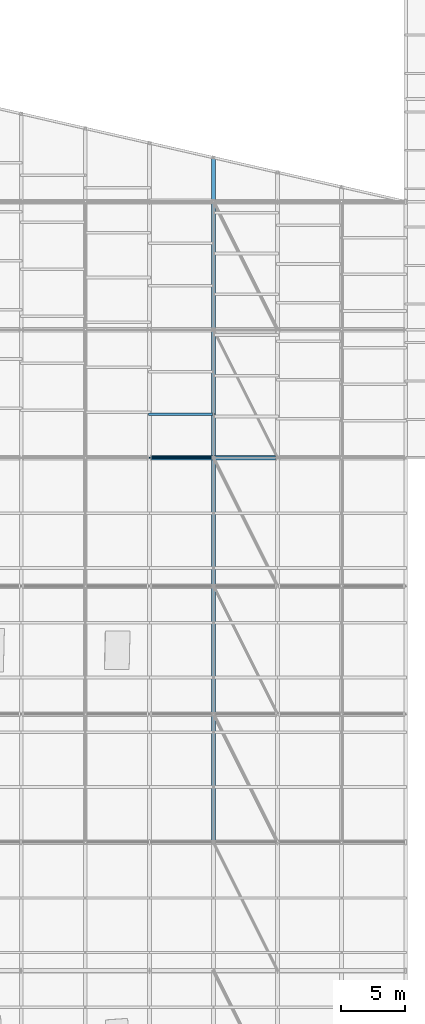
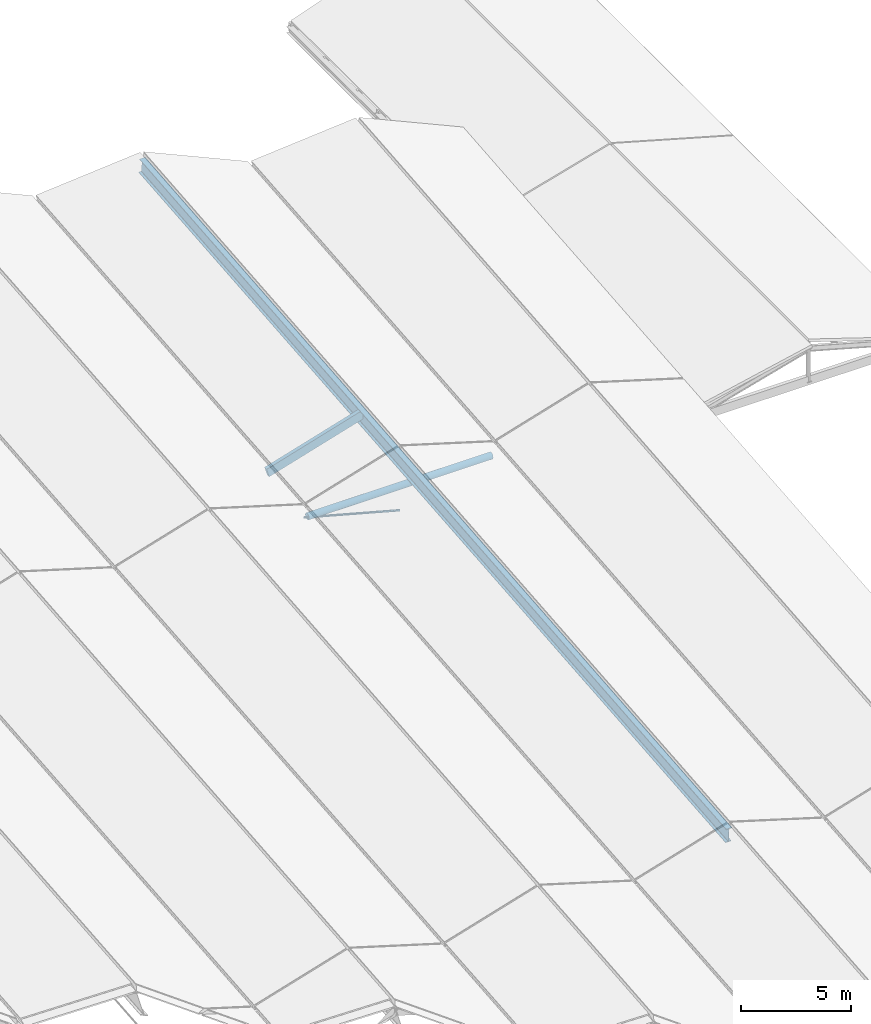
# One storey, part 41 of 90: 2 beams, 2 members.
"""IFC4 building model written with IfcOpenShell, lengths in metres."""

from ifc_helpers import new_model, si_unit, direction, frame, origin, origin_2d, place, context, subcontext, project, spatial, rectangle, circle, hollow_circle, i_section, extrude, material, material_profile, profile_set, type_object, element, save


model = new_model("IFC4")

# Units and contexts
model_context = context("Model", 3, precision=1e-05, world=origin(), true_north=direction((0.0, 1.0)))
body_context = subcontext(model_context, "Body", "Model", "MODEL_VIEW")
ifc_project = project(units=[si_unit("LENGTHUNIT", "METRE"), si_unit("AREAUNIT", "SQUARE_METRE"), si_unit("VOLUMEUNIT", "CUBIC_METRE"), si_unit("PLANEANGLEUNIT", "RADIAN"), si_unit("MASSUNIT", "GRAM", prefix="KILO"), si_unit("THERMODYNAMICTEMPERATUREUNIT", "KELVIN"), si_unit("POWERUNIT", "WATT")], contexts=[model_context])

# Site, building, storey
site_placement = place(None, origin())
site = spatial("IfcSite", under=ifc_project, at=site_placement, CompositionType="ELEMENT")
building_placement = place(site_placement, origin())
building = spatial("IfcBuilding", under=site, at=building_placement, Name="Korenveer Ferry Terminal", CompositionType="ELEMENT")
storey_placement = place(building_placement, frame((0.0, 0.0, 22.199951171875)))
storey = spatial("IfcBuildingStorey", under=building, at=storey_placement, Name="RF", CompositionType="ELEMENT", Elevation=22.199951171875)

# Beam
ifc_material_1 = material(Name="Steel S355", Category="steel")
ifc_material_profile_1 = material_profile(ifc_material_1, i_section(OverallWidth=0.300048828125, OverallDepth=0.800048828125, WebThickness=0.017578125, FlangeThickness=0.032958984375, FilletRadius=0.030029296875, at=origin_2d()), Name="HEB 800")
ifc_profile_set_1 = profile_set([ifc_material_profile_1], Name="Steel S355")
beam_type_1 = type_object("IfcBeamType", Name="STR-BM-HEB800", PredefinedType="BEAM", material=ifc_profile_set_1)
beam_1_placement = place(storey_placement, frame((108.0, 50.0, -7.16796875), z_axis=(0.0, 0.995902973619, 0.090428243027), x_axis=(-1.0, 0.0, 0.0)))
element("IfcBeam", 1, at=beam_1_placement, inside=storey, type_object=beam_type_1, Name="Folded roof ridge girder 12", PredefinedType="BEAM", context=body_context, shape_type="SweptSolid", body=[
    extrude(i_section(OverallWidth=0.300048828125, OverallDepth=0.800048828125, WebThickness=0.017578125, FlangeThickness=0.032958984375, FilletRadius=0.030029296875, at=origin_2d()), origin(), (0.0, 0.0, 1.0), 53.648193359375),
])

# Members
ifc_material_2 = material(Name="High-strength steel S460", Category="steel")
ifc_material_profile_2 = material_profile(ifc_material_2, circle(Radius=0.044921875, at=origin_2d()), Name="ROD D90")
ifc_profile_set_2 = profile_set([ifc_material_profile_2], Name="High-strength steel S460")
member_type_1 = type_object("IfcMemberType", Name="STR-CBL-D90", PredefinedType="USERDEFINED", material=ifc_profile_set_2)
member_1_placement = place(storey_placement, frame((103.0, 80.0, -5.95361328125), z_axis=(0.965424337217, 0.0, -0.260683426993), x_axis=(0.0, 1.0, 0.0)))
element("IfcMember", 2, at=member_1_placement, inside=storey, type_object=member_type_1, Name="Roof tension tie cable 67", ObjectType="CABLE", PredefinedType="USERDEFINED", context=body_context, shape_type="SweptSolid", body=[
    extrude(circle(Radius=0.044921875, at=origin_2d()), origin(), (0.0, 0.0, 1.0), 5.178955078125),
])
ifc_material_3 = material(Name="Glulam GL28h", Category="wood")
ifc_material_profile_3 = material_profile(ifc_material_3, rectangle(XDim=0.199951171875, YDim=0.47998046875, at=origin_2d()), Name="GL 200x480")
ifc_profile_set_3 = profile_set([ifc_material_profile_3], Name="Glulam GL28h")
member_type_2 = type_object("IfcMemberType", Name="STR-PUR-GL200", PredefinedType="PURLIN", material=ifc_profile_set_3)
member_2_placement = place(storey_placement, frame((103.0, 83.392333984375, -5.4873046875), z_axis=(0.957310140112, 0.0, 0.289062788401), x_axis=(0.0, 1.0, 0.0)))
element("IfcMember", 3, at=member_2_placement, inside=storey, type_object=member_type_2, Name="Folded roof glulam purlin 205", PredefinedType="PURLIN", context=body_context, shape_type="SweptSolid", body=[
    extrude(rectangle(XDim=0.199951171875, YDim=0.47998046875, at=origin_2d()), origin(), (0.0, 0.0, 1.0), 5.222900390625),
])

# Beam
ifc_material_profile_4 = material_profile(ifc_material_1, hollow_circle(Radius=0.177734375, WallThickness=0.01611328125, at=origin_2d()), Name="CHS 355.6x16")
ifc_profile_set_4 = profile_set([ifc_material_profile_4], Name="Steel S355")
beam_type_2 = type_object("IfcBeamType", Name="STR-RFG-CHS355", PredefinedType="USERDEFINED", material=ifc_profile_set_4)
beam_2_placement = place(storey_placement, frame((103.159912109375, 80.0, -5.95361328125), z_axis=(1.0, 0.0, 0.0), x_axis=(0.0, 1.0, 0.0)))
element("IfcBeam", 4, at=beam_2_placement, inside=storey, type_object=beam_type_2, Name="Roof transverse tie girder 122", ObjectType="ROOF GIRDER", PredefinedType="USERDEFINED", context=body_context, shape_type="SweptSolid", body=[
    extrude(hollow_circle(Radius=0.177734375, WallThickness=0.01611328125, at=origin_2d()), origin(), (0.0, 0.0, 1.0), 9.68017578125),
])

save(model, "model.ifc")
